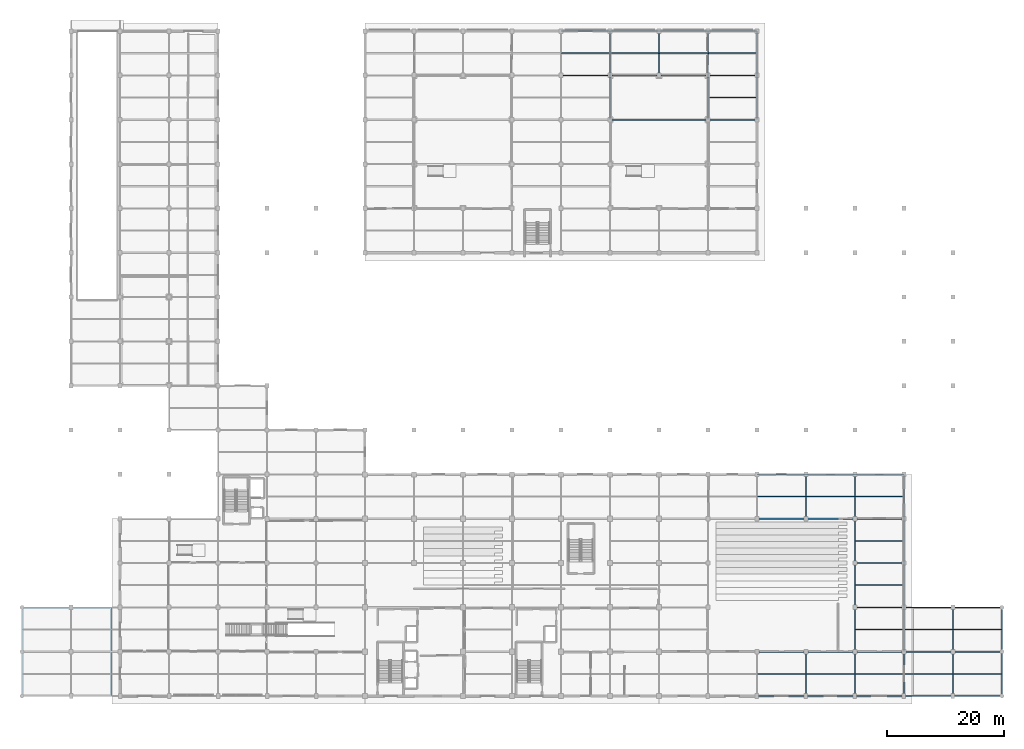
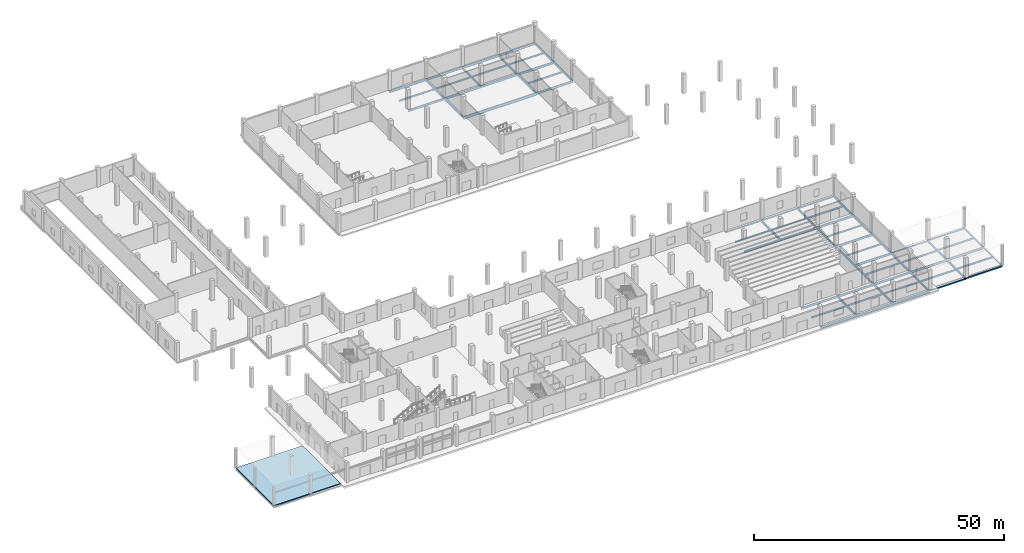
# One storey, part 10 of 36: 71 beams, 1 slab.
"""IFC4 building model written with IfcOpenShell, lengths in metres."""

from ifc_helpers import new_model, si_unit, direction, frame, origin, origin_2d, place, context, subcontext, project, spatial, polyline, hollow_rectangle, i_section, outline, extrude, material, layer, layer_set, material_profile, profile_set, type_object, element, save


model = new_model("IFC4")

# Units and contexts
model_context = context("Model", 3, precision=1e-05, world=origin(), true_north=direction((0.0, 1.0)))
body_context = subcontext(model_context, "Body", "Model", "MODEL_VIEW")
ifc_project = project(units=[si_unit("LENGTHUNIT", "METRE"), si_unit("AREAUNIT", "SQUARE_METRE"), si_unit("VOLUMEUNIT", "CUBIC_METRE"), si_unit("PLANEANGLEUNIT", "RADIAN"), si_unit("MASSUNIT", "GRAM", prefix="KILO")], contexts=[model_context])

# Site, building, storey
site_placement = place(None, origin())
site = spatial("IfcSite", under=ifc_project, at=site_placement, CompositionType="ELEMENT")
building_placement = place(site_placement, origin())
building = spatial("IfcBuilding", under=site, at=building_placement, Name="Zuvorla Pavilion Media Centre", CompositionType="ELEMENT")
storey_placement = place(building_placement, origin())
storey = spatial("IfcBuildingStorey", under=building, at=storey_placement, Name="L00", CompositionType="ELEMENT", Elevation=0.0)

# Beams
ifc_material_1 = material(Name="Steel S355", Category="steel")
ifc_material_profile_1 = material_profile(ifc_material_1, hollow_rectangle(XDim=0.14990234375, YDim=0.25, WallThickness=0.010009765625, at=origin_2d()), Name="RHS 250x150x10")
ifc_profile_set_1 = profile_set([ifc_material_profile_1], Name="Steel S355")
beam_type_1 = type_object("IfcBeamType", Name="BM-SP-RHS250", PredefinedType="SPANDREL", material=ifc_profile_set_1)
beam_1_placement = place(storey_placement, frame((176.0, 6.0, -0.452880859375), z_axis=(0.0, 1.0, 0.0), x_axis=(-1.0, 0.0, 0.0)))
element("IfcBeam", 1, at=beam_1_placement, inside=storey, type_object=beam_type_1, Name="L00 spandrel SP02 315", PredefinedType="SPANDREL", context=body_context, shape_type="SweptSolid", body=[
    extrude(hollow_rectangle(XDim=0.14990234375, YDim=0.25, WallThickness=0.010009765625, at=origin_2d()), origin(), (0.0, 0.0, 1.0), 7.60009765625),
])
beam_2_placement = place(storey_placement, frame((176.0, 13.60009765625, -0.452880859375), z_axis=(0.0, 1.0, 0.0), x_axis=(-1.0, 0.0, 0.0)))
element("IfcBeam", 2, at=beam_2_placement, inside=storey, type_object=beam_type_1, Name="L00 spandrel SP02 316", PredefinedType="SPANDREL", context=body_context, shape_type="SweptSolid", body=[
    extrude(hollow_rectangle(XDim=0.14990234375, YDim=0.25, WallThickness=0.010009765625, at=origin_2d()), origin(), (0.0, 0.0, 1.0), 7.599853515625),
])
ifc_material_profile_2 = material_profile(ifc_material_1, hollow_rectangle(XDim=0.199951171875, YDim=0.300048828125, WallThickness=0.012451171875, at=origin_2d()), Name="RHS 300x200x12.5")
ifc_profile_set_2 = profile_set([ifc_material_profile_2], Name="Steel S355")
beam_type_2 = type_object("IfcBeamType", Name="BM-SP-RHS300", PredefinedType="SPANDREL", material=ifc_profile_set_2)
beam_3_placement = place(storey_placement, frame((159.199951171875, 6.0, -0.577880859375), z_axis=(1.0, 0.0, 0.0), x_axis=(0.0, 1.0, 0.0)))
element("IfcBeam", 3, at=beam_3_placement, inside=storey, type_object=beam_type_2, Name="L00 spandrel SP01 16", PredefinedType="SPANDREL", context=body_context, shape_type="SweptSolid", body=[
    extrude(hollow_rectangle(XDim=0.199951171875, YDim=0.300048828125, WallThickness=0.012451171875, at=origin_2d()), origin(), (0.0, 0.0, 1.0), 8.400146484375),
])
beam_4_placement = place(storey_placement, frame((167.60009765625, 6.0, -0.47802734375), z_axis=(1.0, 0.0, 0.0), x_axis=(0.0, 1.0, 0.0)))
element("IfcBeam", 4, at=beam_4_placement, inside=storey, type_object=beam_type_2, Name="L00 spandrel SP01 17", PredefinedType="SPANDREL", context=body_context, shape_type="SweptSolid", body=[
    extrude(hollow_rectangle(XDim=0.199951171875, YDim=0.300048828125, WallThickness=0.012451171875, at=origin_2d()), origin(), (0.0, 0.0, 1.0), 8.39990234375),
])
beam_5_placement = place(storey_placement, frame((159.199951171875, 21.199951171875, -0.577880859375), z_axis=(1.0, 0.0, 0.0), x_axis=(0.0, 1.0, 0.0)))
element("IfcBeam", 5, at=beam_5_placement, inside=storey, type_object=beam_type_2, Name="L00 spandrel SP01 49", PredefinedType="SPANDREL", context=body_context, shape_type="SweptSolid", body=[
    extrude(hollow_rectangle(XDim=0.199951171875, YDim=0.300048828125, WallThickness=0.012451171875, at=origin_2d()), origin(), (0.0, 0.0, 1.0), 8.400146484375),
])
for number, where, z_axis, x_axis, name in (
    (6, (167.60009765625, 21.199951171875, -0.47802734375), (1.0, 0.0, 0.0), (0.0, 1.0, 0.0), "L00 spandrel SP01 50"),
    (7, (134.0, 44.0, -0.577880859375), (1.0, 0.0, 0.0), (0.0, 1.0, 0.0), "L00 spandrel SP01 89"),
):
    element("IfcBeam", number, at=place(storey_placement, frame(where, z_axis=z_axis, x_axis=x_axis)), inside=storey, type_object=beam_type_2, Name=name, PredefinedType="SPANDREL", context=body_context, shape_type="SweptSolid", body=[
        extrude(hollow_rectangle(XDim=0.199951171875, YDim=0.300048828125, WallThickness=0.012451171875, at=origin_2d()), origin(), (0.0, 0.0, 1.0), 8.39990234375),
    ])
beam_6_placement = place(storey_placement, frame((142.39990234375, 44.0, -0.577880859375), z_axis=(1.0, 0.0, 0.0), x_axis=(0.0, 1.0, 0.0)))
element("IfcBeam", 8, at=beam_6_placement, inside=storey, type_object=beam_type_2, Name="L00 spandrel SP01 90", PredefinedType="SPANDREL", context=body_context, shape_type="SweptSolid", body=[
    extrude(hollow_rectangle(XDim=0.199951171875, YDim=0.300048828125, WallThickness=0.012451171875, at=origin_2d()), origin(), (0.0, 0.0, 1.0), 8.400146484375),
])
beam_7_placement = place(storey_placement, frame((150.800048828125, 44.0, -0.577880859375), z_axis=(1.0, 0.0, 0.0), x_axis=(0.0, 1.0, 0.0)))
element("IfcBeam", 9, at=beam_7_placement, inside=storey, type_object=beam_type_2, Name="L00 spandrel SP01 91", PredefinedType="SPANDREL", context=body_context, shape_type="SweptSolid", body=[
    extrude(hollow_rectangle(XDim=0.199951171875, YDim=0.300048828125, WallThickness=0.012451171875, at=origin_2d()), origin(), (0.0, 0.0, 1.0), 8.39990234375),
])
ifc_material_profile_3 = material_profile(ifc_material_1, i_section(OverallWidth=0.1787109375, OverallDepth=0.409423828125, WebThickness=0.0087890625, FlangeThickness=0.014404296875, FilletRadius=0.01025390625, at=origin_2d()), Name="UB 406x178x67")
ifc_profile_set_3 = profile_set([ifc_material_profile_3], Name="Steel S355")
beam_type_3 = type_object("IfcBeamType", Name="BM-UB406", PredefinedType="JOIST", material=ifc_profile_set_3)
beam_8_placement = place(storey_placement, frame((100.5, 116.199951171875, -0.53271484375), z_axis=(1.0, 0.0, 0.0), x_axis=(0.0, 1.0, 0.0)))
element("IfcBeam", 10, at=beam_8_placement, inside=storey, type_object=beam_type_3, Name="L00 joist J02 396", PredefinedType="JOIST", context=body_context, shape_type="SweptSolid", body=[
    extrude(i_section(OverallWidth=0.1787109375, OverallDepth=0.409423828125, WebThickness=0.0087890625, FlangeThickness=0.014404296875, FilletRadius=0.01025390625, at=origin_2d()), origin(), (0.0, 0.0, 1.0), 8.199951171875),
])
beam_9_placement = place(storey_placement, frame((108.89990234375, 116.199951171875, -0.53271484375), z_axis=(1.0, 0.0, 0.0), x_axis=(0.0, 1.0, 0.0)))
element("IfcBeam", 11, at=beam_9_placement, inside=storey, type_object=beam_type_3, Name="L00 joist J02 403", PredefinedType="JOIST", context=body_context, shape_type="SweptSolid", body=[
    extrude(i_section(OverallWidth=0.1787109375, OverallDepth=0.409423828125, WebThickness=0.0087890625, FlangeThickness=0.014404296875, FilletRadius=0.01025390625, at=origin_2d()), origin(), (0.0, 0.0, 1.0), 8.2001953125),
])
for number, where, z_axis, x_axis, name in (
    (12, (117.300048828125, 116.199951171875, -0.53271484375), (1.0, 0.0, 0.0), (0.0, 1.0, 0.0), "L00 joist J02 410"),
    (13, (125.699951171875, 108.60009765625, -0.53271484375), (1.0, 0.0, 0.0), (0.0, 1.0, 0.0), "L00 joist J02 416"),
    (14, (125.699951171875, 116.199951171875, -0.53271484375), (1.0, 0.0, 0.0), (0.0, 1.0, 0.0), "L00 joist J02 417"),
    (15, (134.10009765625, 9.800048828125, -0.6328125), (1.0, 0.0, 0.0), (0.0, 1.0, 0.0), "L00 joist J02 418"),
    (16, (134.10009765625, 40.199951171875, -0.6328125), (1.0, 0.0, 0.0), (0.0, 1.0, 0.0), "L00 joist J02 419"),
    (17, (142.5, 9.800048828125, -0.6328125), (1.0, 0.0, 0.0), (0.0, 1.0, 0.0), "L00 joist J02 420"),
    (18, (142.5, 40.199951171875, -0.6328125), (1.0, 0.0, 0.0), (0.0, 1.0, 0.0), "L00 joist J02 421"),
):
    element("IfcBeam", number, at=place(storey_placement, frame(where, z_axis=z_axis, x_axis=x_axis)), inside=storey, type_object=beam_type_3, Name=name, PredefinedType="JOIST", context=body_context, shape_type="SweptSolid", body=[
        extrude(i_section(OverallWidth=0.1787109375, OverallDepth=0.409423828125, WebThickness=0.0087890625, FlangeThickness=0.014404296875, FilletRadius=0.01025390625, at=origin_2d()), origin(), (0.0, 0.0, 1.0), 8.199951171875),
    ])
for number, where, z_axis, x_axis, name in (
    (19, (150.89990234375, 9.800048828125, -0.6328125), (1.0, 0.0, 0.0), (0.0, 1.0, 0.0), "L00 joist J02 422"),
    (20, (150.89990234375, 17.39990234375, -0.6328125), (1.0, 0.0, 0.0), (0.0, 1.0, 0.0), "L00 joist J02 423"),
    (21, (150.89990234375, 25.0, -0.6328125), (1.0, 0.0, 0.0), (0.0, 1.0, 0.0), "L00 joist J02 424"),
    (22, (150.89990234375, 32.60009765625, -0.6328125), (1.0, 0.0, 0.0), (0.0, 1.0, 0.0), "L00 joist J02 425"),
    (23, (150.89990234375, 40.199951171875, -0.6328125), (1.0, 0.0, 0.0), (0.0, 1.0, 0.0), "L00 joist J02 426"),
):
    element("IfcBeam", number, at=place(storey_placement, frame(where, z_axis=z_axis, x_axis=x_axis)), inside=storey, type_object=beam_type_3, Name=name, PredefinedType="JOIST", context=body_context, shape_type="SweptSolid", body=[
        extrude(i_section(OverallWidth=0.1787109375, OverallDepth=0.409423828125, WebThickness=0.0087890625, FlangeThickness=0.014404296875, FilletRadius=0.01025390625, at=origin_2d()), origin(), (0.0, 0.0, 1.0), 8.2001953125),
    ])
for number, where, z_axis, x_axis, name in (
    (24, (159.300048828125, 9.800048828125, -0.6328125), (1.0, 0.0, 0.0), (0.0, 1.0, 0.0), "L00 joist J02 427"),
    (25, (159.300048828125, 17.39990234375, -0.6328125), (1.0, 0.0, 0.0), (0.0, 1.0, 0.0), "L00 joist J02 428"),
):
    element("IfcBeam", number, at=place(storey_placement, frame(where, z_axis=z_axis, x_axis=x_axis)), inside=storey, type_object=beam_type_3, Name=name, PredefinedType="JOIST", context=body_context, shape_type="SweptSolid", body=[
        extrude(i_section(OverallWidth=0.1787109375, OverallDepth=0.409423828125, WebThickness=0.0087890625, FlangeThickness=0.014404296875, FilletRadius=0.01025390625, at=origin_2d()), origin(), (0.0, 0.0, 1.0), 8.199951171875),
    ])
for number, where, z_axis, x_axis, name in (
    (26, (167.699951171875, 9.800048828125, -0.53271484375), (1.0, 0.0, 0.0), (0.0, 1.0, 0.0), "L00 joist J02 429"),
    (27, (167.699951171875, 17.39990234375, -0.53271484375), (1.0, 0.0, 0.0), (0.0, 1.0, 0.0), "L00 joist J02 430"),
):
    element("IfcBeam", number, at=place(storey_placement, frame(where, z_axis=z_axis, x_axis=x_axis)), inside=storey, type_object=beam_type_3, Name=name, PredefinedType="JOIST", context=body_context, shape_type="SweptSolid", body=[
        extrude(i_section(OverallWidth=0.1787109375, OverallDepth=0.409423828125, WebThickness=0.0087890625, FlangeThickness=0.014404296875, FilletRadius=0.01025390625, at=origin_2d()), origin(), (0.0, 0.0, 1.0), 8.219970703125),
    ])
ifc_material_profile_4 = material_profile(ifc_material_1, i_section(OverallWidth=0.2099609375, OverallDepth=0.53662109375, WebThickness=0.0107421875, FlangeThickness=0.017333984375, FilletRadius=0.0126953125, at=origin_2d()), Name="UB 533x210x101")
ifc_profile_set_4 = profile_set([ifc_material_profile_4], Name="Steel S355")
beam_type_4 = type_object("IfcBeamType", Name="BM-UB533", PredefinedType="BEAM", material=ifc_profile_set_4)
beam_10_placement = place(storey_placement, frame((134.0, 6.0, -0.6962890625), z_axis=(1.0, 0.0, 0.0), x_axis=(0.0, 1.0, 0.0)))
element("IfcBeam", 28, at=beam_10_placement, inside=storey, type_object=beam_type_4, Name="L00 beam B08 13", PredefinedType="BEAM", context=body_context, shape_type="SweptSolid", body=[
    extrude(i_section(OverallWidth=0.2099609375, OverallDepth=0.53662109375, WebThickness=0.0107421875, FlangeThickness=0.017333984375, FilletRadius=0.0126953125, at=origin_2d()), origin(), (0.0, 0.0, 1.0), 8.39990234375),
])
beam_11_placement = place(storey_placement, frame((142.39990234375, 6.0, -0.6962890625), z_axis=(1.0, 0.0, 0.0), x_axis=(0.0, 1.0, 0.0)))
element("IfcBeam", 29, at=beam_11_placement, inside=storey, type_object=beam_type_4, Name="L00 beam B08 14", PredefinedType="BEAM", context=body_context, shape_type="SweptSolid", body=[
    extrude(i_section(OverallWidth=0.2099609375, OverallDepth=0.53662109375, WebThickness=0.0107421875, FlangeThickness=0.017333984375, FilletRadius=0.0126953125, at=origin_2d()), origin(), (0.0, 0.0, 1.0), 8.400146484375),
])
for number, where, z_axis, x_axis, name in (
    (30, (150.800048828125, 6.0, -0.6962890625), (1.0, 0.0, 0.0), (0.0, 1.0, 0.0), "L00 beam B08 15"),
    (31, (134.0, 13.60009765625, -0.6962890625), (1.0, 0.0, 0.0), (0.0, 1.0, 0.0), "L00 beam B08 30"),
):
    element("IfcBeam", number, at=place(storey_placement, frame(where, z_axis=z_axis, x_axis=x_axis)), inside=storey, type_object=beam_type_4, Name=name, PredefinedType="BEAM", context=body_context, shape_type="SweptSolid", body=[
        extrude(i_section(OverallWidth=0.2099609375, OverallDepth=0.53662109375, WebThickness=0.0107421875, FlangeThickness=0.017333984375, FilletRadius=0.0126953125, at=origin_2d()), origin(), (0.0, 0.0, 1.0), 8.39990234375),
    ])
beam_12_placement = place(storey_placement, frame((142.39990234375, 13.60009765625, -0.6962890625), z_axis=(1.0, 0.0, 0.0), x_axis=(0.0, 1.0, 0.0)))
element("IfcBeam", 32, at=beam_12_placement, inside=storey, type_object=beam_type_4, Name="L00 beam B08 31", PredefinedType="BEAM", context=body_context, shape_type="SweptSolid", body=[
    extrude(i_section(OverallWidth=0.2099609375, OverallDepth=0.53662109375, WebThickness=0.0107421875, FlangeThickness=0.017333984375, FilletRadius=0.0126953125, at=origin_2d()), origin(), (0.0, 0.0, 1.0), 8.400146484375),
])
beam_13_placement = place(storey_placement, frame((150.800048828125, 13.60009765625, -0.6962890625), z_axis=(1.0, 0.0, 0.0), x_axis=(0.0, 1.0, 0.0)))
element("IfcBeam", 33, at=beam_13_placement, inside=storey, type_object=beam_type_4, Name="L00 beam B08 32", PredefinedType="BEAM", context=body_context, shape_type="SweptSolid", body=[
    extrude(i_section(OverallWidth=0.2099609375, OverallDepth=0.53662109375, WebThickness=0.0107421875, FlangeThickness=0.017333984375, FilletRadius=0.0126953125, at=origin_2d()), origin(), (0.0, 0.0, 1.0), 8.39990234375),
])
beam_14_placement = place(storey_placement, frame((159.199951171875, 13.60009765625, -0.6962890625), z_axis=(1.0, 0.0, 0.0), x_axis=(0.0, 1.0, 0.0)))
element("IfcBeam", 34, at=beam_14_placement, inside=storey, type_object=beam_type_4, Name="L00 beam B08 33", PredefinedType="BEAM", context=body_context, shape_type="SweptSolid", body=[
    extrude(i_section(OverallWidth=0.2099609375, OverallDepth=0.53662109375, WebThickness=0.0107421875, FlangeThickness=0.017333984375, FilletRadius=0.0126953125, at=origin_2d()), origin(), (0.0, 0.0, 1.0), 8.400146484375),
])
for number, where, z_axis, x_axis, name in (
    (35, (167.60009765625, 13.60009765625, -0.59619140625), (1.0, 0.0, 0.0), (0.0, 1.0, 0.0), "L00 beam B08 34"),
    (36, (150.800048828125, 21.199951171875, -0.6962890625), (1.0, 0.0, 0.0), (0.0, 1.0, 0.0), "L00 beam B08 48"),
    (37, (150.800048828125, 28.800048828125, -0.6962890625), (1.0, 0.0, 0.0), (0.0, 1.0, 0.0), "L00 beam B08 62"),
    (38, (134.0, 36.39990234375, -0.6962890625), (1.0, 0.0, 0.0), (0.0, 1.0, 0.0), "L00 beam B08 75"),
):
    element("IfcBeam", number, at=place(storey_placement, frame(where, z_axis=z_axis, x_axis=x_axis)), inside=storey, type_object=beam_type_4, Name=name, PredefinedType="BEAM", context=body_context, shape_type="SweptSolid", body=[
        extrude(i_section(OverallWidth=0.2099609375, OverallDepth=0.53662109375, WebThickness=0.0107421875, FlangeThickness=0.017333984375, FilletRadius=0.0126953125, at=origin_2d()), origin(), (0.0, 0.0, 1.0), 8.39990234375),
    ])
beam_15_placement = place(storey_placement, frame((142.39990234375, 36.39990234375, -0.6962890625), z_axis=(1.0, 0.0, 0.0), x_axis=(0.0, 1.0, 0.0)))
element("IfcBeam", 39, at=beam_15_placement, inside=storey, type_object=beam_type_4, Name="L00 beam B08 76", PredefinedType="BEAM", context=body_context, shape_type="SweptSolid", body=[
    extrude(i_section(OverallWidth=0.2099609375, OverallDepth=0.53662109375, WebThickness=0.0107421875, FlangeThickness=0.017333984375, FilletRadius=0.0126953125, at=origin_2d()), origin(), (0.0, 0.0, 1.0), 8.400146484375),
])
for number, where, z_axis, x_axis, name in (
    (40, (150.800048828125, 36.39990234375, -0.6962890625), (1.0, 0.0, 0.0), (0.0, 1.0, 0.0), "L00 beam B08 77"),
    (41, (125.60009765625, 104.800048828125, -0.59619140625), (1.0, 0.0, 0.0), (0.0, 1.0, 0.0), "L00 beam B08 138"),
):
    element("IfcBeam", number, at=place(storey_placement, frame(where, z_axis=z_axis, x_axis=x_axis)), inside=storey, type_object=beam_type_4, Name=name, PredefinedType="BEAM", context=body_context, shape_type="SweptSolid", body=[
        extrude(i_section(OverallWidth=0.2099609375, OverallDepth=0.53662109375, WebThickness=0.0107421875, FlangeThickness=0.017333984375, FilletRadius=0.0126953125, at=origin_2d()), origin(), (0.0, 0.0, 1.0), 8.39990234375),
    ])
beam_16_placement = place(storey_placement, frame((100.39990234375, 112.39990234375, -0.59619140625), z_axis=(1.0, 0.0, 0.0), x_axis=(0.0, 1.0, 0.0)))
element("IfcBeam", 42, at=beam_16_placement, inside=storey, type_object=beam_type_4, Name="L00 beam B08 145", PredefinedType="BEAM", context=body_context, shape_type="SweptSolid", body=[
    extrude(i_section(OverallWidth=0.2099609375, OverallDepth=0.53662109375, WebThickness=0.0107421875, FlangeThickness=0.017333984375, FilletRadius=0.0126953125, at=origin_2d()), origin(), (0.0, 0.0, 1.0), 8.400146484375),
])
beam_17_placement = place(storey_placement, frame((108.800048828125, 112.39990234375, -0.59619140625), z_axis=(1.0, 0.0, 0.0), x_axis=(0.0, 1.0, 0.0)))
element("IfcBeam", 43, at=beam_17_placement, inside=storey, type_object=beam_type_4, Name="L00 beam B08 146", PredefinedType="BEAM", context=body_context, shape_type="SweptSolid", body=[
    extrude(i_section(OverallWidth=0.2099609375, OverallDepth=0.53662109375, WebThickness=0.0107421875, FlangeThickness=0.017333984375, FilletRadius=0.0126953125, at=origin_2d()), origin(), (0.0, 0.0, 1.0), 8.39990234375),
])
beam_18_placement = place(storey_placement, frame((117.199951171875, 112.39990234375, -0.59619140625), z_axis=(1.0, 0.0, 0.0), x_axis=(0.0, 1.0, 0.0)))
element("IfcBeam", 44, at=beam_18_placement, inside=storey, type_object=beam_type_4, Name="L00 beam B08 147", PredefinedType="BEAM", context=body_context, shape_type="SweptSolid", body=[
    extrude(i_section(OverallWidth=0.2099609375, OverallDepth=0.53662109375, WebThickness=0.0107421875, FlangeThickness=0.017333984375, FilletRadius=0.0126953125, at=origin_2d()), origin(), (0.0, 0.0, 1.0), 8.400146484375),
])
beam_19_placement = place(storey_placement, frame((125.60009765625, 112.39990234375, -0.59619140625), z_axis=(1.0, 0.0, 0.0), x_axis=(0.0, 1.0, 0.0)))
element("IfcBeam", 45, at=beam_19_placement, inside=storey, type_object=beam_type_4, Name="L00 beam B08 148", PredefinedType="BEAM", context=body_context, shape_type="SweptSolid", body=[
    extrude(i_section(OverallWidth=0.2099609375, OverallDepth=0.53662109375, WebThickness=0.0107421875, FlangeThickness=0.017333984375, FilletRadius=0.0126953125, at=origin_2d()), origin(), (0.0, 0.0, 1.0), 8.39990234375),
])
beam_20_placement = place(storey_placement, frame((100.39990234375, 120.0, -0.59619140625), z_axis=(1.0, 0.0, 0.0), x_axis=(0.0, 1.0, 0.0)))
element("IfcBeam", 46, at=beam_20_placement, inside=storey, type_object=beam_type_4, Name="L00 beam B08 155", PredefinedType="BEAM", context=body_context, shape_type="SweptSolid", body=[
    extrude(i_section(OverallWidth=0.2099609375, OverallDepth=0.53662109375, WebThickness=0.0107421875, FlangeThickness=0.017333984375, FilletRadius=0.0126953125, at=origin_2d()), origin(), (0.0, 0.0, 1.0), 8.400146484375),
])
beam_21_placement = place(storey_placement, frame((108.800048828125, 120.0, -0.59619140625), z_axis=(1.0, 0.0, 0.0), x_axis=(0.0, 1.0, 0.0)))
element("IfcBeam", 47, at=beam_21_placement, inside=storey, type_object=beam_type_4, Name="L00 beam B08 156", PredefinedType="BEAM", context=body_context, shape_type="SweptSolid", body=[
    extrude(i_section(OverallWidth=0.2099609375, OverallDepth=0.53662109375, WebThickness=0.0107421875, FlangeThickness=0.017333984375, FilletRadius=0.0126953125, at=origin_2d()), origin(), (0.0, 0.0, 1.0), 8.39990234375),
])
beam_22_placement = place(storey_placement, frame((117.199951171875, 120.0, -0.59619140625), z_axis=(1.0, 0.0, 0.0), x_axis=(0.0, 1.0, 0.0)))
element("IfcBeam", 48, at=beam_22_placement, inside=storey, type_object=beam_type_4, Name="L00 beam B08 157", PredefinedType="BEAM", context=body_context, shape_type="SweptSolid", body=[
    extrude(i_section(OverallWidth=0.2099609375, OverallDepth=0.53662109375, WebThickness=0.0107421875, FlangeThickness=0.017333984375, FilletRadius=0.0126953125, at=origin_2d()), origin(), (0.0, 0.0, 1.0), 8.400146484375),
])
beam_23_placement = place(storey_placement, frame((125.60009765625, 120.0, -0.59619140625), z_axis=(1.0, 0.0, 0.0), x_axis=(0.0, 1.0, 0.0)))
element("IfcBeam", 49, at=beam_23_placement, inside=storey, type_object=beam_type_4, Name="L00 beam B08 158", PredefinedType="BEAM", context=body_context, shape_type="SweptSolid", body=[
    extrude(i_section(OverallWidth=0.2099609375, OverallDepth=0.53662109375, WebThickness=0.0107421875, FlangeThickness=0.017333984375, FilletRadius=0.0126953125, at=origin_2d()), origin(), (0.0, 0.0, 1.0), 8.39990234375),
])
beam_24_placement = place(storey_placement, frame((108.800048828125, 104.800048828125, -0.59619140625), z_axis=(0.0, 1.0, 0.0), x_axis=(-1.0, 0.0, 0.0)))
element("IfcBeam", 50, at=beam_24_placement, inside=storey, type_object=beam_type_4, Name="L00 beam B08 275", PredefinedType="BEAM", context=body_context, shape_type="SweptSolid", body=[
    extrude(i_section(OverallWidth=0.2099609375, OverallDepth=0.53662109375, WebThickness=0.0107421875, FlangeThickness=0.017333984375, FilletRadius=0.0126953125, at=origin_2d()), origin(), (0.0, 0.0, 1.0), 7.599853515625),
])
for number, where, z_axis, x_axis, name in (
    (51, (108.800048828125, 112.39990234375, -0.59619140625), (0.0, 1.0, 0.0), (-1.0, 0.0, 0.0), "L00 beam B08 276"),
    (52, (117.199951171875, 112.39990234375, -0.59619140625), (0.0, 1.0, 0.0), (-1.0, 0.0, 0.0), "L00 beam B08 283"),
):
    element("IfcBeam", number, at=place(storey_placement, frame(where, z_axis=z_axis, x_axis=x_axis)), inside=storey, type_object=beam_type_4, Name=name, PredefinedType="BEAM", context=body_context, shape_type="SweptSolid", body=[
        extrude(i_section(OverallWidth=0.2099609375, OverallDepth=0.53662109375, WebThickness=0.0107421875, FlangeThickness=0.017333984375, FilletRadius=0.0126953125, at=origin_2d()), origin(), (0.0, 0.0, 1.0), 7.60009765625),
    ])
beam_25_placement = place(storey_placement, frame((125.60009765625, 104.800048828125, -0.59619140625), z_axis=(0.0, 1.0, 0.0), x_axis=(-1.0, 0.0, 0.0)))
element("IfcBeam", 53, at=beam_25_placement, inside=storey, type_object=beam_type_4, Name="L00 beam B08 292", PredefinedType="BEAM", context=body_context, shape_type="SweptSolid", body=[
    extrude(i_section(OverallWidth=0.2099609375, OverallDepth=0.53662109375, WebThickness=0.0107421875, FlangeThickness=0.017333984375, FilletRadius=0.0126953125, at=origin_2d()), origin(), (0.0, 0.0, 1.0), 7.599853515625),
])
beam_26_placement = place(storey_placement, frame((125.60009765625, 112.39990234375, -0.59619140625), z_axis=(0.0, 1.0, 0.0), x_axis=(-1.0, 0.0, 0.0)))
element("IfcBeam", 54, at=beam_26_placement, inside=storey, type_object=beam_type_4, Name="L00 beam B08 293", PredefinedType="BEAM", context=body_context, shape_type="SweptSolid", body=[
    extrude(i_section(OverallWidth=0.2099609375, OverallDepth=0.53662109375, WebThickness=0.0107421875, FlangeThickness=0.017333984375, FilletRadius=0.0126953125, at=origin_2d()), origin(), (0.0, 0.0, 1.0), 7.60009765625),
])
beam_27_placement = place(storey_placement, frame((134.0, 104.800048828125, -0.59619140625), z_axis=(0.0, 1.0, 0.0), x_axis=(-1.0, 0.0, 0.0)))
element("IfcBeam", 55, at=beam_27_placement, inside=storey, type_object=beam_type_4, Name="L00 beam B08 299", PredefinedType="BEAM", context=body_context, shape_type="SweptSolid", body=[
    extrude(i_section(OverallWidth=0.2099609375, OverallDepth=0.53662109375, WebThickness=0.0107421875, FlangeThickness=0.017333984375, FilletRadius=0.0126953125, at=origin_2d()), origin(), (0.0, 0.0, 1.0), 7.599853515625),
])
for number, where, z_axis, x_axis, name in (
    (56, (134.0, 112.39990234375, -0.59619140625), (0.0, 1.0, 0.0), (-1.0, 0.0, 0.0), "L00 beam B08 300"),
    (57, (142.39990234375, 6.0, -0.6962890625), (0.0, 1.0, 0.0), (-1.0, 0.0, 0.0), "L00 beam B08 301"),
    (58, (142.39990234375, 36.39990234375, -0.6962890625), (0.0, 1.0, 0.0), (-1.0, 0.0, 0.0), "L00 beam B08 302"),
    (59, (150.800048828125, 6.0, -0.6962890625), (0.0, 1.0, 0.0), (-1.0, 0.0, 0.0), "L00 beam B08 303"),
):
    element("IfcBeam", number, at=place(storey_placement, frame(where, z_axis=z_axis, x_axis=x_axis)), inside=storey, type_object=beam_type_4, Name=name, PredefinedType="BEAM", context=body_context, shape_type="SweptSolid", body=[
        extrude(i_section(OverallWidth=0.2099609375, OverallDepth=0.53662109375, WebThickness=0.0107421875, FlangeThickness=0.017333984375, FilletRadius=0.0126953125, at=origin_2d()), origin(), (0.0, 0.0, 1.0), 7.60009765625),
    ])
beam_28_placement = place(storey_placement, frame((150.800048828125, 13.60009765625, -0.6962890625), z_axis=(0.0, 1.0, 0.0), x_axis=(-1.0, 0.0, 0.0)))
element("IfcBeam", 60, at=beam_28_placement, inside=storey, type_object=beam_type_4, Name="L00 beam B08 304", PredefinedType="BEAM", context=body_context, shape_type="SweptSolid", body=[
    extrude(i_section(OverallWidth=0.2099609375, OverallDepth=0.53662109375, WebThickness=0.0107421875, FlangeThickness=0.017333984375, FilletRadius=0.0126953125, at=origin_2d()), origin(), (0.0, 0.0, 1.0), 7.599853515625),
])
beam_29_placement = place(storey_placement, frame((150.800048828125, 21.199951171875, -0.6962890625), z_axis=(0.0, 1.0, 0.0), x_axis=(-1.0, 0.0, 0.0)))
element("IfcBeam", 61, at=beam_29_placement, inside=storey, type_object=beam_type_4, Name="L00 beam B08 305", PredefinedType="BEAM", context=body_context, shape_type="SweptSolid", body=[
    extrude(i_section(OverallWidth=0.2099609375, OverallDepth=0.53662109375, WebThickness=0.0107421875, FlangeThickness=0.017333984375, FilletRadius=0.0126953125, at=origin_2d()), origin(), (0.0, 0.0, 1.0), 7.60009765625),
])
beam_30_placement = place(storey_placement, frame((150.800048828125, 28.800048828125, -0.6962890625), z_axis=(0.0, 1.0, 0.0), x_axis=(-1.0, 0.0, 0.0)))
element("IfcBeam", 62, at=beam_30_placement, inside=storey, type_object=beam_type_4, Name="L00 beam B08 306", PredefinedType="BEAM", context=body_context, shape_type="SweptSolid", body=[
    extrude(i_section(OverallWidth=0.2099609375, OverallDepth=0.53662109375, WebThickness=0.0107421875, FlangeThickness=0.017333984375, FilletRadius=0.0126953125, at=origin_2d()), origin(), (0.0, 0.0, 1.0), 7.599853515625),
])
for number, where, z_axis, x_axis, name in (
    (63, (150.800048828125, 36.39990234375, -0.6962890625), (0.0, 1.0, 0.0), (-1.0, 0.0, 0.0), "L00 beam B08 307"),
    (64, (159.199951171875, 6.0, -0.6962890625), (0.0, 1.0, 0.0), (-1.0, 0.0, 0.0), "L00 beam B08 308"),
):
    element("IfcBeam", number, at=place(storey_placement, frame(where, z_axis=z_axis, x_axis=x_axis)), inside=storey, type_object=beam_type_4, Name=name, PredefinedType="BEAM", context=body_context, shape_type="SweptSolid", body=[
        extrude(i_section(OverallWidth=0.2099609375, OverallDepth=0.53662109375, WebThickness=0.0107421875, FlangeThickness=0.017333984375, FilletRadius=0.0126953125, at=origin_2d()), origin(), (0.0, 0.0, 1.0), 7.60009765625),
    ])
beam_31_placement = place(storey_placement, frame((159.199951171875, 13.60009765625, -0.6962890625), z_axis=(0.0, 1.0, 0.0), x_axis=(-1.0, 0.0, 0.0)))
element("IfcBeam", 65, at=beam_31_placement, inside=storey, type_object=beam_type_4, Name="L00 beam B08 309", PredefinedType="BEAM", context=body_context, shape_type="SweptSolid", body=[
    extrude(i_section(OverallWidth=0.2099609375, OverallDepth=0.53662109375, WebThickness=0.0107421875, FlangeThickness=0.017333984375, FilletRadius=0.0126953125, at=origin_2d()), origin(), (0.0, 0.0, 1.0), 7.599853515625),
])
beam_32_placement = place(storey_placement, frame((159.199951171875, 21.199951171875, -0.6962890625), z_axis=(0.0, 1.0, 0.0), x_axis=(-1.0, 0.0, 0.0)))
element("IfcBeam", 66, at=beam_32_placement, inside=storey, type_object=beam_type_4, Name="L00 beam B08 310", PredefinedType="BEAM", context=body_context, shape_type="SweptSolid", body=[
    extrude(i_section(OverallWidth=0.2099609375, OverallDepth=0.53662109375, WebThickness=0.0107421875, FlangeThickness=0.017333984375, FilletRadius=0.0126953125, at=origin_2d()), origin(), (0.0, 0.0, 1.0), 7.60009765625),
])
beam_33_placement = place(storey_placement, frame((159.199951171875, 28.800048828125, -0.6962890625), z_axis=(0.0, 1.0, 0.0), x_axis=(-1.0, 0.0, 0.0)))
element("IfcBeam", 67, at=beam_33_placement, inside=storey, type_object=beam_type_4, Name="L00 beam B08 311", PredefinedType="BEAM", context=body_context, shape_type="SweptSolid", body=[
    extrude(i_section(OverallWidth=0.2099609375, OverallDepth=0.53662109375, WebThickness=0.0107421875, FlangeThickness=0.017333984375, FilletRadius=0.0126953125, at=origin_2d()), origin(), (0.0, 0.0, 1.0), 7.599853515625),
])
for number, where, z_axis, x_axis, name in (
    (68, (159.199951171875, 36.39990234375, -0.6962890625), (0.0, 1.0, 0.0), (-1.0, 0.0, 0.0), "L00 beam B08 312"),
    (69, (167.60009765625, 6.0, -0.59619140625), (0.0, 1.0, 0.0), (-1.0, 0.0, 0.0), "L00 beam B08 313"),
):
    element("IfcBeam", number, at=place(storey_placement, frame(where, z_axis=z_axis, x_axis=x_axis)), inside=storey, type_object=beam_type_4, Name=name, PredefinedType="BEAM", context=body_context, shape_type="SweptSolid", body=[
        extrude(i_section(OverallWidth=0.2099609375, OverallDepth=0.53662109375, WebThickness=0.0107421875, FlangeThickness=0.017333984375, FilletRadius=0.0126953125, at=origin_2d()), origin(), (0.0, 0.0, 1.0), 7.60009765625),
    ])
beam_34_placement = place(storey_placement, frame((167.60009765625, 13.60009765625, -0.59619140625), z_axis=(0.0, 1.0, 0.0), x_axis=(-1.0, 0.0, 0.0)))
element("IfcBeam", 70, at=beam_34_placement, inside=storey, type_object=beam_type_4, Name="L00 beam B08 314", PredefinedType="BEAM", context=body_context, shape_type="SweptSolid", body=[
    extrude(i_section(OverallWidth=0.2099609375, OverallDepth=0.53662109375, WebThickness=0.0107421875, FlangeThickness=0.017333984375, FilletRadius=0.0126953125, at=origin_2d()), origin(), (0.0, 0.0, 1.0), 7.599853515625),
])
ifc_material_profile_5 = material_profile(ifc_material_1, i_section(OverallWidth=0.25439453125, OverallDepth=0.6875, WebThickness=0.01318359375, FlangeThickness=0.02099609375, FilletRadius=0.01513671875, at=origin_2d()), Name="UB 686x254x152")
ifc_profile_set_5 = profile_set([ifc_material_profile_5], Name="Steel S355")
beam_type_5 = type_object("IfcBeamType", Name="BM-UB686", PredefinedType="BEAM", material=ifc_profile_set_5)
beam_35_placement = place(storey_placement, frame((108.800048828125, 104.800048828125, -0.671875), z_axis=(1.0, 0.0, 0.0), x_axis=(0.0, 1.0, 0.0)))
element("IfcBeam", 71, at=beam_35_placement, inside=storey, type_object=beam_type_5, Name="L00 beam B06 137", PredefinedType="BEAM", context=body_context, shape_type="SweptSolid", body=[
    extrude(i_section(OverallWidth=0.25439453125, OverallDepth=0.6875, WebThickness=0.01318359375, FlangeThickness=0.02099609375, FilletRadius=0.01513671875, at=origin_2d()), origin(), (0.0, 0.0, 1.0), 16.800048828125),
])

# Slab
ifc_material_2 = material(Name="Precast concrete C40/50", Category="concrete")
ifc_layer = layer(ifc_material_2, 0.239990234375)
ifc_layer_set = layer_set([ifc_layer], Name="Precast concrete C40/50")
slab_type = type_object("IfcSlabType", Name="SLB-DECK-240", PredefinedType="FLOOR", material=ifc_layer_set)
slab_placement = place(storey_placement, frame((0.0, 0.0, -0.239990234375)))
element("IfcSlab", 72, at=slab_placement, inside=storey, type_object=slab_type, Name="L00 floor slab COLW", PredefinedType="FLOOR", context=body_context, shape_type="SweptSolid", body=[
    extrude(outline(polyline([(23.39990234375, 6.0), (23.39990234375, 21.199951171875), (8.0, 21.199951171875), (8.0, 6.0), (23.39990234375, 6.0)])), origin(), (0.0, 0.0, 1.0), 0.239990234375),
])

save(model, "model.ifc")
